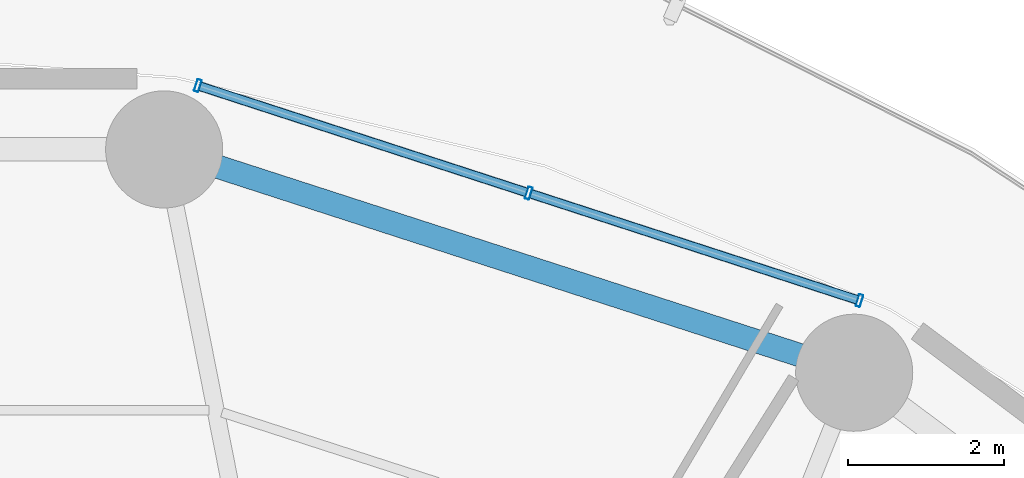
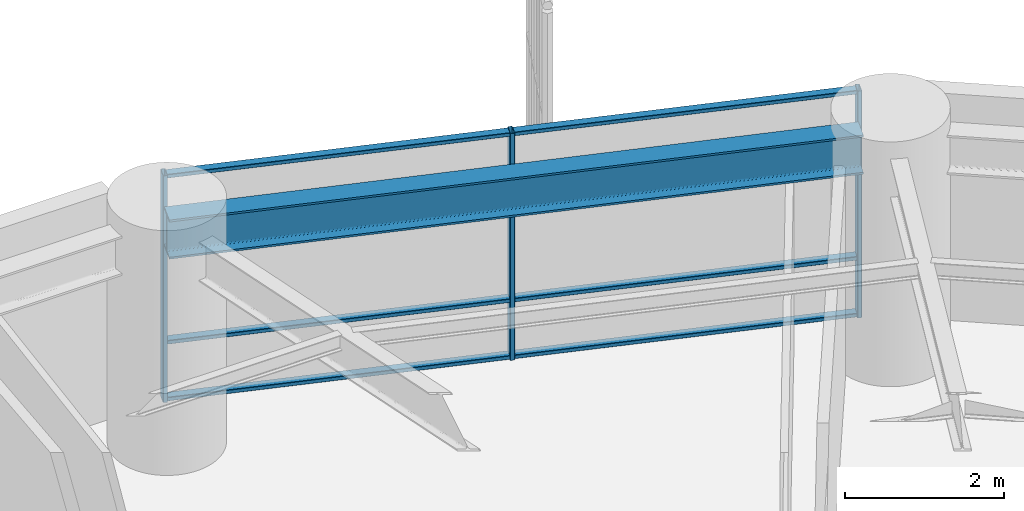
# One storey, part 21 of 33: 9 members, 1 beam, 1 element without a shape of its own.
"""IFC4 building model written with IfcOpenShell, lengths in metres."""

from ifc_helpers import new_model, si_unit, direction, frame, origin, origin_2d, place, context, subcontext, project, spatial, hollow_rectangle, i_section, extrude, material, layer, layer_set, material_profile, profile_set, type_object, element, aggregate, save


model = new_model("IFC4")

# Units and contexts
model_context = context("Model", 3, precision=1e-05, world=origin(), true_north=direction((0.0, 1.0)))
body_context = subcontext(model_context, "Body", "Model", "MODEL_VIEW")
ifc_project = project(units=[si_unit("LENGTHUNIT", "METRE"), si_unit("AREAUNIT", "SQUARE_METRE"), si_unit("VOLUMEUNIT", "CUBIC_METRE"), si_unit("PLANEANGLEUNIT", "RADIAN"), si_unit("MASSUNIT", "GRAM", prefix="KILO")], contexts=[model_context])

# Site, building, storey
site_placement = place(None, origin())
site = spatial("IfcSite", under=ifc_project, at=site_placement, CompositionType="ELEMENT")
building_placement = place(site_placement, origin())
building = spatial("IfcBuilding", under=site, at=building_placement, Name="Kelanora Arch Commons", CompositionType="ELEMENT")
storey_placement = place(building_placement, frame((0.0, 0.0, 41.25)))
storey = spatial("IfcBuildingStorey", under=building, at=storey_placement, Name="L10", CompositionType="ELEMENT", Elevation=41.25)

# Beam
ifc_material_1 = material(Name="Steel S355", Category="steel")
ifc_material_profile_1 = material_profile(ifc_material_1, i_section(OverallWidth=0.300048828125, OverallDepth=0.60009765625, WebThickness=0.015380859375, FlangeThickness=0.030029296875, FilletRadius=0.027099609375, at=origin_2d()), Name="HEB600")
ifc_profile_set_1 = profile_set([ifc_material_profile_1], Name="Steel S355")
beam_type = type_object("IfcBeamType", Name="BM-SPN-Z1", PredefinedType="SPANDREL", material=ifc_profile_set_1)
beam_placement = place(storey_placement, frame((87.178466796875, 78.970947265625, 3.18994140625), z_axis=(-0.951414770924, 0.307912217469, 0.0), x_axis=(-0.307912217469, -0.951414770924, 0.0)))
element("IfcBeam", 1, at=beam_placement, inside=storey, type_object=beam_type, Name="Perimeter Spandrel Beam BS-06 L10", PredefinedType="SPANDREL", context=body_context, shape_type="SweptSolid", body=[
    extrude(i_section(OverallWidth=0.300048828125, OverallDepth=0.60009765625, WebThickness=0.015380859375, FlangeThickness=0.030029296875, FilletRadius=0.027099609375, at=origin_2d()), origin(), (0.0, 0.0, 1.0), 8.908935546875),
])

# Curtain wall, members
ifc_material_2 = material(Name="Terracotta ceramic-fritted low-E glass and aluminium", Category="masonry")
ifc_layer = layer(ifc_material_2, 0.159912109375)
ifc_layer_set = layer_set([ifc_layer], Name="Terracotta ceramic-fritted low-E glass and aluminium")
curtain_wall_type = type_object("IfcCurtainWallType", Name="CW-SYS-01", PredefinedType="NOTDEFINED", material=ifc_layer_set)
curtain_wall_placement = place(storey_placement, origin())
curtain_wall = element("IfcCurtainWall", 2, at=curtain_wall_placement, inside=storey, type_object=curtain_wall_type, Name="Unitised Curtain Wall L10-B03", PredefinedType="NOTDEFINED")
ifc_material_3 = material(Name="Powder-coated aluminium terracotta", Category="masonry")
ifc_material_profile_2 = material_profile(ifc_material_3, hollow_rectangle(XDim=0.159912109375, YDim=0.06005859375, WallThickness=0.0048828125, InnerFilletRadius=0.0048828125, OuterFilletRadius=0.010009765625, at=origin_2d()), Name="CWM160x60")
ifc_profile_set_2 = profile_set([ifc_material_profile_2], Name="Powder-coated aluminium terracotta")
member_type_1 = type_object("IfcMemberType", Name="CWM-STD", PredefinedType="MULLION", material=ifc_profile_set_2)
member_1_placement = place(storey_placement, frame((87.607666015625, 79.778076171875, 0.0), z_axis=(0.0, 0.0, 1.0), x_axis=(-0.30905758454, -0.951043326793, 0.0)))
member_1 = element("IfcMember", 3, at=member_1_placement, type_object=member_type_1, Name="CW-01 mullion 1", PredefinedType="MULLION", context=body_context, shape_type="SweptSolid", body=[
    extrude(hollow_rectangle(XDim=0.159912109375, YDim=0.06005859375, WallThickness=0.0048828125, InnerFilletRadius=0.0048828125, OuterFilletRadius=0.010009765625, at=origin_2d()), origin(), (0.0, 0.0, 1.0), 3.47509765625),
])
member_2_placement = place(storey_placement, frame((83.37109375, 81.15478515625, 0.0), z_axis=(0.0, 0.0, 1.0), x_axis=(-0.30905758454, -0.951043326793, 0.0)))
member_2 = element("IfcMember", 4, at=member_2_placement, type_object=member_type_1, Name="CW-01 mullion 2", PredefinedType="MULLION", context=body_context, shape_type="SweptSolid", body=[
    extrude(hollow_rectangle(XDim=0.159912109375, YDim=0.06005859375, WallThickness=0.0048828125, InnerFilletRadius=0.0048828125, OuterFilletRadius=0.010009765625, at=origin_2d()), origin(), (0.0, 0.0, 1.0), 3.47509765625),
])
member_3_placement = place(storey_placement, frame((79.134521484375, 82.53173828125, 0.0), z_axis=(0.0, 0.0, 1.0), x_axis=(-0.30905758454, -0.951043326793, 0.0)))
member_3 = element("IfcMember", 5, at=member_3_placement, type_object=member_type_1, Name="CW-01 mullion 3", PredefinedType="MULLION", context=body_context, shape_type="SweptSolid", body=[
    extrude(hollow_rectangle(XDim=0.159912109375, YDim=0.06005859375, WallThickness=0.0048828125, InnerFilletRadius=0.0048828125, OuterFilletRadius=0.010009765625, at=origin_2d()), origin(), (0.0, 0.0, 1.0), 3.47509765625),
])
ifc_material_profile_3 = material_profile(ifc_material_3, hollow_rectangle(XDim=0.1201171875, YDim=0.06005859375, WallThickness=0.0048828125, InnerFilletRadius=0.0048828125, OuterFilletRadius=0.010009765625, at=origin_2d()), Name="CWT120x60")
ifc_profile_set_3 = profile_set([ifc_material_profile_3], Name="Powder-coated aluminium terracotta")
member_type_2 = type_object("IfcMemberType", Name="CWT-STD", PredefinedType="USERDEFINED", material=ifc_profile_set_3)
member_4_placement = place(storey_placement, frame((87.5791015625, 79.787353515625, 0.030029296875), z_axis=(-0.951045091182, 0.309052155047, 0.0), x_axis=(-0.309052155047, -0.951045091182, 0.0)))
member_4 = element("IfcMember", 6, at=member_4_placement, type_object=member_type_2, Name="CW-01 transom 1.1", ObjectType="TRANSOM", PredefinedType="USERDEFINED", context=body_context, shape_type="SweptSolid", body=[
    extrude(hollow_rectangle(XDim=0.1201171875, YDim=0.06005859375, WallThickness=0.0048828125, InnerFilletRadius=0.0048828125, OuterFilletRadius=0.010009765625, at=origin_2d()), origin(), (0.0, 0.0, 1.0), 4.39453125),
])
member_5_placement = place(storey_placement, frame((87.5791015625, 79.787353515625, 0.89990234375), z_axis=(-0.951045091182, 0.309052155047, 0.0), x_axis=(-0.309052155047, -0.951045091182, 0.0)))
member_5 = element("IfcMember", 7, at=member_5_placement, type_object=member_type_2, Name="CW-01 transom 1.2", ObjectType="TRANSOM", PredefinedType="USERDEFINED", context=body_context, shape_type="SweptSolid", body=[
    extrude(hollow_rectangle(XDim=0.1201171875, YDim=0.06005859375, WallThickness=0.0048828125, InnerFilletRadius=0.0048828125, OuterFilletRadius=0.010009765625, at=origin_2d()), origin(), (0.0, 0.0, 1.0), 4.39453125),
])
member_6_placement = place(storey_placement, frame((87.5791015625, 79.787353515625, 3.445068359375), z_axis=(-0.951045091182, 0.309052155047, 0.0), x_axis=(-0.309052155047, -0.951045091182, 0.0)))
member_6 = element("IfcMember", 8, at=member_6_placement, type_object=member_type_2, Name="CW-01 transom 1.3", ObjectType="TRANSOM", PredefinedType="USERDEFINED", context=body_context, shape_type="SweptSolid", body=[
    extrude(hollow_rectangle(XDim=0.1201171875, YDim=0.06005859375, WallThickness=0.0048828125, InnerFilletRadius=0.0048828125, OuterFilletRadius=0.010009765625, at=origin_2d()), origin(), (0.0, 0.0, 1.0), 4.39453125),
])
member_7_placement = place(storey_placement, frame((83.342529296875, 81.1640625, 0.030029296875), z_axis=(-0.951028761285, 0.309102402464, 0.0), x_axis=(-0.309102402464, -0.951028761285, 0.0)))
member_7 = element("IfcMember", 9, at=member_7_placement, type_object=member_type_2, Name="CW-01 transom 2.1", ObjectType="TRANSOM", PredefinedType="USERDEFINED", context=body_context, shape_type="SweptSolid", body=[
    extrude(hollow_rectangle(XDim=0.1201171875, YDim=0.06005859375, WallThickness=0.0048828125, InnerFilletRadius=0.0048828125, OuterFilletRadius=0.010009765625, at=origin_2d()), origin(), (0.0, 0.0, 1.0), 4.394775390625),
])
member_8_placement = place(storey_placement, frame((83.342529296875, 81.1640625, 0.89990234375), z_axis=(-0.951028761285, 0.309102402464, 0.0), x_axis=(-0.309102402464, -0.951028761285, 0.0)))
member_8 = element("IfcMember", 10, at=member_8_placement, type_object=member_type_2, Name="CW-01 transom 2.2", ObjectType="TRANSOM", PredefinedType="USERDEFINED", context=body_context, shape_type="SweptSolid", body=[
    extrude(hollow_rectangle(XDim=0.1201171875, YDim=0.06005859375, WallThickness=0.0048828125, InnerFilletRadius=0.0048828125, OuterFilletRadius=0.010009765625, at=origin_2d()), origin(), (0.0, 0.0, 1.0), 4.394775390625),
])
member_9_placement = place(storey_placement, frame((83.342529296875, 81.1640625, 3.445068359375), z_axis=(-0.951028761285, 0.309102402464, 0.0), x_axis=(-0.309102402464, -0.951028761285, 0.0)))
member_9 = element("IfcMember", 11, at=member_9_placement, type_object=member_type_2, Name="CW-01 transom 2.3", ObjectType="TRANSOM", PredefinedType="USERDEFINED", context=body_context, shape_type="SweptSolid", body=[
    extrude(hollow_rectangle(XDim=0.1201171875, YDim=0.06005859375, WallThickness=0.0048828125, InnerFilletRadius=0.0048828125, OuterFilletRadius=0.010009765625, at=origin_2d()), origin(), (0.0, 0.0, 1.0), 4.394775390625),
])
aggregate(curtain_wall, [member_1, member_2, member_3, member_4, member_5, member_6, member_7, member_8, member_9])

save(model, "model.ifc")
